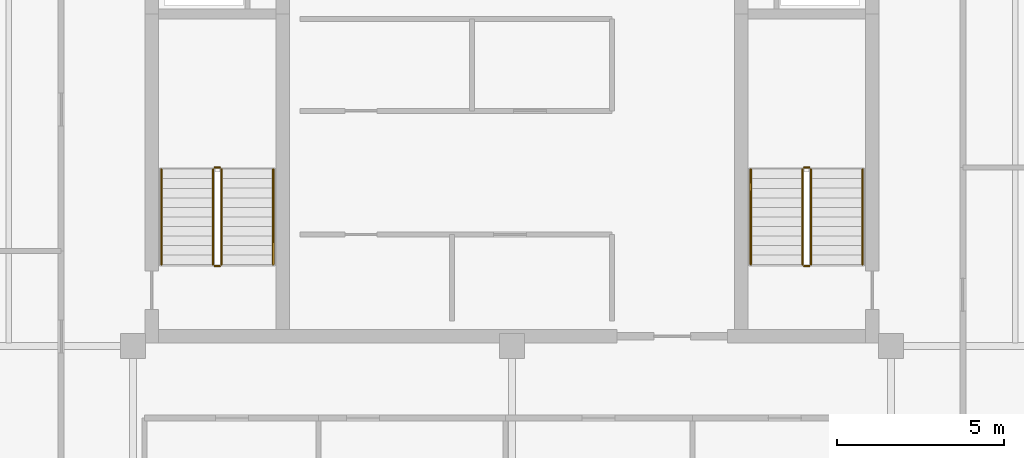
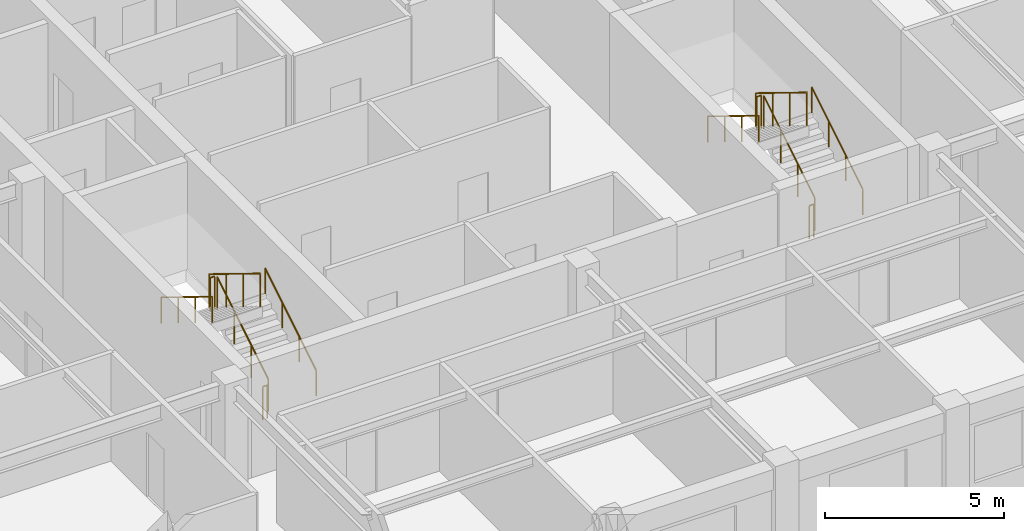
# One storey, part 6 of 6: 12 railings.
"""IFC4 building model written with IfcOpenShell, lengths in metres."""

from ifc_helpers import new_model, si_unit, direction, frame, origin, origin_2d, place, context, subcontext, project, spatial, circle, extrude, material, type_object, element, save


model = new_model("IFC4")

# Units and contexts
model_context = context("Model", 3, precision=1e-05, world=origin(), true_north=direction((0.0, 1.0)))
body_context = subcontext(model_context, "Body", "Model", "MODEL_VIEW")
ifc_project = project(units=[si_unit("LENGTHUNIT", "METRE"), si_unit("AREAUNIT", "SQUARE_METRE"), si_unit("VOLUMEUNIT", "CUBIC_METRE"), si_unit("PLANEANGLEUNIT", "RADIAN"), si_unit("MASSUNIT", "GRAM", prefix="KILO")], contexts=[model_context])

# Site, building, storey
site_placement = place(None, origin())
site = spatial("IfcSite", under=ifc_project, at=site_placement, CompositionType="ELEMENT")
building_placement = place(site_placement, origin())
building = spatial("IfcBuilding", under=site, at=building_placement, Name="Nhamokura Convention Tower", CompositionType="ELEMENT")
storey_placement = place(building_placement, frame((0.0, 0.0, 266.0)))
storey = spatial("IfcBuildingStorey", under=building, at=storey_placement, Name="L65", CompositionType="ELEMENT", Elevation=266.0)

# Railings
ifc_material_1 = material(Name="Anodised bronze stainless steel", Category="steel")
railing_type_1 = type_object("IfcRailingType", Name="StairWallHandrail_900", PredefinedType="HANDRAIL", material=ifc_material_1)
railing_1_placement = place(storey_placement, frame((24.85009765625, 23.10009765625, 0.175048828125)))
element("IfcRailing", 1, at=railing_1_placement, inside=storey, type_object=railing_type_1, Name="L65 ST-01 stair handrail 1", PredefinedType="HANDRAIL", context=body_context, shape_type="SweptSolid", body=[
    extrude(circle(Radius=0.02392578125, at=origin_2d()), frame((0.0, 0.0, 0.8759765625), z_axis=(0.0, 0.852159232446, 0.523282564737), x_axis=(-1.0, 0.0, 0.0)), (0.0, 0.0, 1.0), 3.34423828125),
    extrude(circle(Radius=0.02099609375, at=origin_2d()), origin(), (0.0, 0.0, 1.0), 0.851806640625),
    extrude(circle(Radius=0.02099609375, at=origin_2d()), frame((0.0, 0.949951171875, 0.583251953125)), (0.0, 0.0, 1.0), 0.851806640625),
    extrude(circle(Radius=0.02099609375, at=origin_2d()), frame((0.0, 1.89990234375, 1.166748046875)), (0.0, 0.0, 1.0), 0.851806640625),
    extrude(circle(Radius=0.02099609375, at=origin_2d()), frame((0.0, 2.849853515625, 1.75)), (0.0, 0.0, 1.0), 0.851806640625),
])
railing_2_placement = place(storey_placement, frame((21.5, 25.949951171875, 2.10009765625)))
element("IfcRailing", 2, at=railing_2_placement, inside=storey, type_object=railing_type_1, Name="L65 ST-01 stair handrail 2", PredefinedType="HANDRAIL", context=body_context, shape_type="SweptSolid", body=[
    extrude(circle(Radius=0.02392578125, at=origin_2d()), frame((0.0, 0.0, 0.8759765625), z_axis=(0.0, -0.852159232446, 0.523282564737), x_axis=(1.0, 0.0, 0.0)), (0.0, 0.0, 1.0), 3.34423828125),
    extrude(circle(Radius=0.02099609375, at=origin_2d()), origin(), (0.0, 0.0, 1.0), 0.851806640625),
    extrude(circle(Radius=0.02099609375, at=origin_2d()), frame((0.0, -0.949951171875, 0.583251953125)), (0.0, 0.0, 1.0), 0.851806640625),
    extrude(circle(Radius=0.02099609375, at=origin_2d()), frame((0.0, -1.89990234375, 1.166748046875)), (0.0, 0.0, 1.0), 0.851806640625),
    extrude(circle(Radius=0.02099609375, at=origin_2d()), frame((0.0, -2.849853515625, 1.75)), (0.0, 0.0, 1.0), 0.851806640625),
])
railing_3_placement = place(storey_placement, frame((42.5, 23.10009765625, 0.175048828125)))
element("IfcRailing", 3, at=railing_3_placement, inside=storey, type_object=railing_type_1, Name="L65 ST-02 stair handrail 1", PredefinedType="HANDRAIL", context=body_context, shape_type="SweptSolid", body=[
    extrude(circle(Radius=0.02392578125, at=origin_2d()), frame((0.0, 0.0, 0.8759765625), z_axis=(0.0, 0.852159232446, 0.523282564737), x_axis=(-1.0, 0.0, 0.0)), (0.0, 0.0, 1.0), 3.34423828125),
    extrude(circle(Radius=0.02099609375, at=origin_2d()), origin(), (0.0, 0.0, 1.0), 0.851806640625),
    extrude(circle(Radius=0.02099609375, at=origin_2d()), frame((0.0, 0.949951171875, 0.583251953125)), (0.0, 0.0, 1.0), 0.851806640625),
    extrude(circle(Radius=0.02099609375, at=origin_2d()), frame((0.0, 1.89990234375, 1.166748046875)), (0.0, 0.0, 1.0), 0.851806640625),
    extrude(circle(Radius=0.02099609375, at=origin_2d()), frame((0.0, 2.849853515625, 1.75)), (0.0, 0.0, 1.0), 0.851806640625),
])
railing_4_placement = place(storey_placement, frame((39.14990234375, 25.949951171875, 2.10009765625)))
element("IfcRailing", 4, at=railing_4_placement, inside=storey, type_object=railing_type_1, Name="L65 ST-02 stair handrail 2", PredefinedType="HANDRAIL", context=body_context, shape_type="SweptSolid", body=[
    extrude(circle(Radius=0.02392578125, at=origin_2d()), frame((0.0, 0.0, 0.8759765625), z_axis=(0.0, -0.852159232446, 0.523282564737), x_axis=(1.0, 0.0, 0.0)), (0.0, 0.0, 1.0), 3.34423828125),
    extrude(circle(Radius=0.02099609375, at=origin_2d()), origin(), (0.0, 0.0, 1.0), 0.851806640625),
    extrude(circle(Radius=0.02099609375, at=origin_2d()), frame((0.0, -0.949951171875, 0.583251953125)), (0.0, 0.0, 1.0), 0.851806640625),
    extrude(circle(Radius=0.02099609375, at=origin_2d()), frame((0.0, -1.89990234375, 1.166748046875)), (0.0, 0.0, 1.0), 0.851806640625),
    extrude(circle(Radius=0.02099609375, at=origin_2d()), frame((0.0, -2.849853515625, 1.75)), (0.0, 0.0, 1.0), 0.851806640625),
])
ifc_material_2 = material(Name="Painted tubular steel", Category="steel")
railing_type_2 = type_object("IfcRailingType", Name="StairWellGuardrail_1150", PredefinedType="GUARDRAIL", material=ifc_material_2)
railing_5_placement = place(storey_placement, frame((23.300048828125, 23.10009765625, 0.175048828125)))
element("IfcRailing", 5, at=railing_5_placement, inside=storey, type_object=railing_type_2, Name="L65 ST-01 stair guard 1", PredefinedType="GUARDRAIL", context=body_context, shape_type="SweptSolid", body=[
    extrude(circle(Radius=0.02392578125, at=origin_2d()), frame((0.0, 0.0, 1.1259765625), z_axis=(0.0, 0.852159232446, 0.523282564737), x_axis=(-1.0, 0.0, 0.0)), (0.0, 0.0, 1.0), 3.34423828125),
    extrude(circle(Radius=0.02099609375, at=origin_2d()), origin(), (0.0, 0.0, 1.0), 1.101806640625),
    extrude(circle(Radius=0.02099609375, at=origin_2d()), frame((0.0, 0.949951171875, 0.583251953125)), (0.0, 0.0, 1.0), 1.101806640625),
    extrude(circle(Radius=0.02099609375, at=origin_2d()), frame((0.0, 1.89990234375, 1.166748046875)), (0.0, 0.0, 1.0), 1.101806640625),
    extrude(circle(Radius=0.02099609375, at=origin_2d()), frame((0.0, 2.849853515625, 1.75)), (0.0, 0.0, 1.0), 1.101806640625),
])
railing_6_placement = place(storey_placement, frame((23.25, 26.0, 1.925048828125)))
element("IfcRailing", 6, at=railing_6_placement, inside=storey, type_object=railing_type_2, Name="L65 ST-01 stair guard 2", PredefinedType="GUARDRAIL", context=body_context, shape_type="SweptSolid", body=[
    extrude(circle(Radius=0.02392578125, at=origin_2d()), frame((0.0, 0.0, 1.1259765625), z_axis=(-1.0, 0.0, 0.0), x_axis=(0.0, -1.0, 0.0)), (0.0, 0.0, 1.0), 0.14990234375),
    extrude(circle(Radius=0.02099609375, at=origin_2d()), origin(), (0.0, 0.0, 1.0), 1.101806640625),
    extrude(circle(Radius=0.02099609375, at=origin_2d()), frame((-0.14990234375, 0.0, 0.0)), (0.0, 0.0, 1.0), 1.101806640625),
])
railing_7_placement = place(storey_placement, frame((23.050048828125, 25.949951171875, 2.10009765625)))
element("IfcRailing", 7, at=railing_7_placement, inside=storey, type_object=railing_type_2, Name="L65 ST-01 stair guard 3", PredefinedType="GUARDRAIL", context=body_context, shape_type="SweptSolid", body=[
    extrude(circle(Radius=0.02392578125, at=origin_2d()), frame((0.0, 0.0, 1.1259765625), z_axis=(0.0, -0.852159232446, 0.523282564737), x_axis=(1.0, 0.0, 0.0)), (0.0, 0.0, 1.0), 3.34423828125),
    extrude(circle(Radius=0.02099609375, at=origin_2d()), origin(), (0.0, 0.0, 1.0), 1.101806640625),
    extrude(circle(Radius=0.02099609375, at=origin_2d()), frame((0.0, -0.949951171875, 0.583251953125)), (0.0, 0.0, 1.0), 1.101806640625),
    extrude(circle(Radius=0.02099609375, at=origin_2d()), frame((0.0, -1.89990234375, 1.166748046875)), (0.0, 0.0, 1.0), 1.101806640625),
    extrude(circle(Radius=0.02099609375, at=origin_2d()), frame((0.0, -2.849853515625, 1.75)), (0.0, 0.0, 1.0), 1.101806640625),
])
railing_8_placement = place(storey_placement, frame((23.25, 23.050048828125, 0.0)))
element("IfcRailing", 8, at=railing_8_placement, inside=storey, type_object=railing_type_2, Name="L65 ST-01 stair guard 4", PredefinedType="GUARDRAIL", context=body_context, shape_type="SweptSolid", body=[
    extrude(circle(Radius=0.02392578125, at=origin_2d()), frame((0.0, 0.0, 1.1259765625), z_axis=(-1.0, 0.0, 0.0), x_axis=(0.0, -1.0, 0.0)), (0.0, 0.0, 1.0), 0.14990234375),
    extrude(circle(Radius=0.02099609375, at=origin_2d()), origin(), (0.0, 0.0, 1.0), 1.101806640625),
    extrude(circle(Radius=0.02099609375, at=origin_2d()), frame((-0.14990234375, 0.0, 0.0)), (0.0, 0.0, 1.0), 1.101806640625),
])
railing_9_placement = place(storey_placement, frame((40.949951171875, 23.10009765625, 0.175048828125)))
element("IfcRailing", 9, at=railing_9_placement, inside=storey, type_object=railing_type_2, Name="L65 ST-02 stair guard 1", PredefinedType="GUARDRAIL", context=body_context, shape_type="SweptSolid", body=[
    extrude(circle(Radius=0.02392578125, at=origin_2d()), frame((0.0, 0.0, 1.1259765625), z_axis=(0.0, 0.852159232446, 0.523282564737), x_axis=(-1.0, 0.0, 0.0)), (0.0, 0.0, 1.0), 3.34423828125),
    extrude(circle(Radius=0.02099609375, at=origin_2d()), origin(), (0.0, 0.0, 1.0), 1.101806640625),
    extrude(circle(Radius=0.02099609375, at=origin_2d()), frame((0.0, 0.949951171875, 0.583251953125)), (0.0, 0.0, 1.0), 1.101806640625),
    extrude(circle(Radius=0.02099609375, at=origin_2d()), frame((0.0, 1.89990234375, 1.166748046875)), (0.0, 0.0, 1.0), 1.101806640625),
    extrude(circle(Radius=0.02099609375, at=origin_2d()), frame((0.0, 2.849853515625, 1.75)), (0.0, 0.0, 1.0), 1.101806640625),
])
railing_10_placement = place(storey_placement, frame((40.89990234375, 26.0, 1.925048828125)))
element("IfcRailing", 10, at=railing_10_placement, inside=storey, type_object=railing_type_2, Name="L65 ST-02 stair guard 2", PredefinedType="GUARDRAIL", context=body_context, shape_type="SweptSolid", body=[
    extrude(circle(Radius=0.02392578125, at=origin_2d()), frame((0.0, 0.0, 1.1259765625), z_axis=(-1.0, 0.0, 0.0), x_axis=(0.0, -1.0, 0.0)), (0.0, 0.0, 1.0), 0.14990234375),
    extrude(circle(Radius=0.02099609375, at=origin_2d()), origin(), (0.0, 0.0, 1.0), 1.101806640625),
    extrude(circle(Radius=0.02099609375, at=origin_2d()), frame((-0.14990234375, 0.0, 0.0)), (0.0, 0.0, 1.0), 1.101806640625),
])
railing_11_placement = place(storey_placement, frame((40.699951171875, 25.949951171875, 2.10009765625)))
element("IfcRailing", 11, at=railing_11_placement, inside=storey, type_object=railing_type_2, Name="L65 ST-02 stair guard 3", PredefinedType="GUARDRAIL", context=body_context, shape_type="SweptSolid", body=[
    extrude(circle(Radius=0.02392578125, at=origin_2d()), frame((0.0, 0.0, 1.1259765625), z_axis=(0.0, -0.852159232446, 0.523282564737), x_axis=(1.0, 0.0, 0.0)), (0.0, 0.0, 1.0), 3.34423828125),
    extrude(circle(Radius=0.02099609375, at=origin_2d()), origin(), (0.0, 0.0, 1.0), 1.101806640625),
    extrude(circle(Radius=0.02099609375, at=origin_2d()), frame((0.0, -0.949951171875, 0.583251953125)), (0.0, 0.0, 1.0), 1.101806640625),
    extrude(circle(Radius=0.02099609375, at=origin_2d()), frame((0.0, -1.89990234375, 1.166748046875)), (0.0, 0.0, 1.0), 1.101806640625),
    extrude(circle(Radius=0.02099609375, at=origin_2d()), frame((0.0, -2.849853515625, 1.75)), (0.0, 0.0, 1.0), 1.101806640625),
])
railing_12_placement = place(storey_placement, frame((40.89990234375, 23.050048828125, 0.0)))
element("IfcRailing", 12, at=railing_12_placement, inside=storey, type_object=railing_type_2, Name="L65 ST-02 stair guard 4", PredefinedType="GUARDRAIL", context=body_context, shape_type="SweptSolid", body=[
    extrude(circle(Radius=0.02392578125, at=origin_2d()), frame((0.0, 0.0, 1.1259765625), z_axis=(-1.0, 0.0, 0.0), x_axis=(0.0, -1.0, 0.0)), (0.0, 0.0, 1.0), 0.14990234375),
    extrude(circle(Radius=0.02099609375, at=origin_2d()), origin(), (0.0, 0.0, 1.0), 1.101806640625),
    extrude(circle(Radius=0.02099609375, at=origin_2d()), frame((-0.14990234375, 0.0, 0.0)), (0.0, 0.0, 1.0), 1.101806640625),
])

save(model, "model.ifc")
